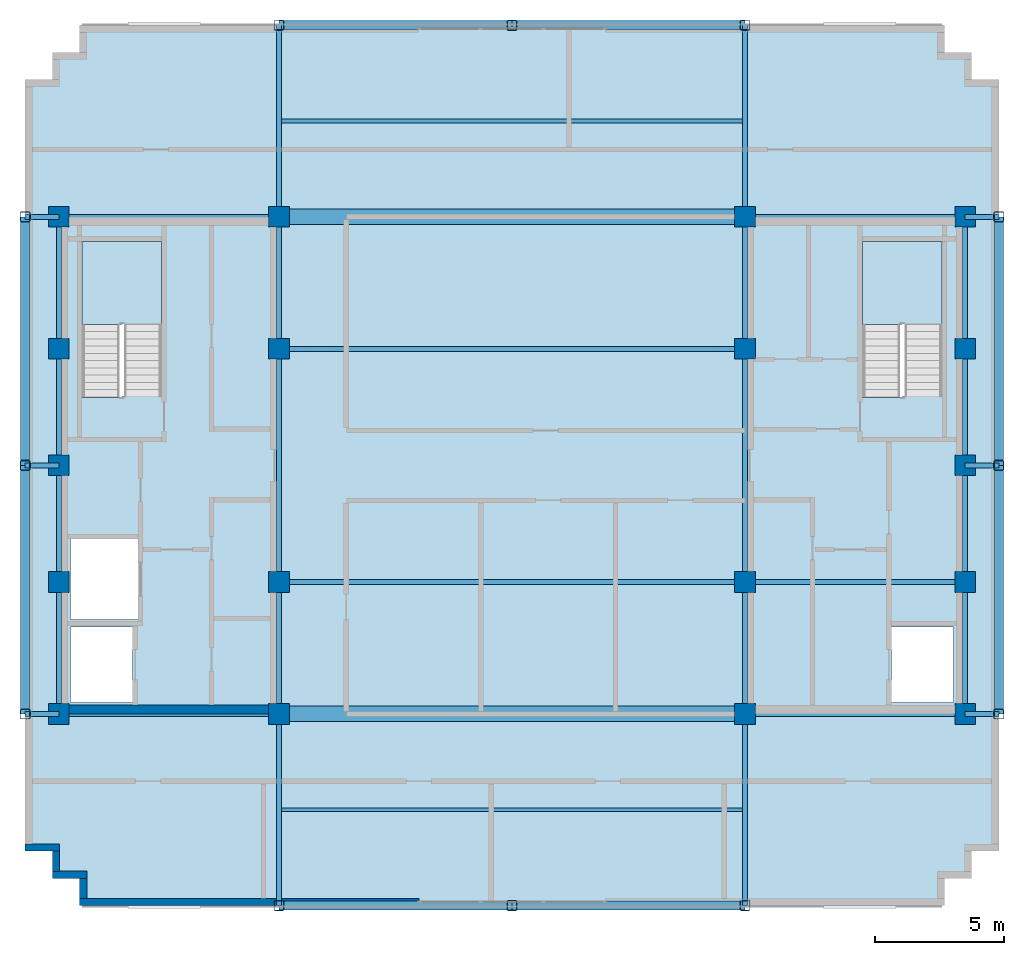
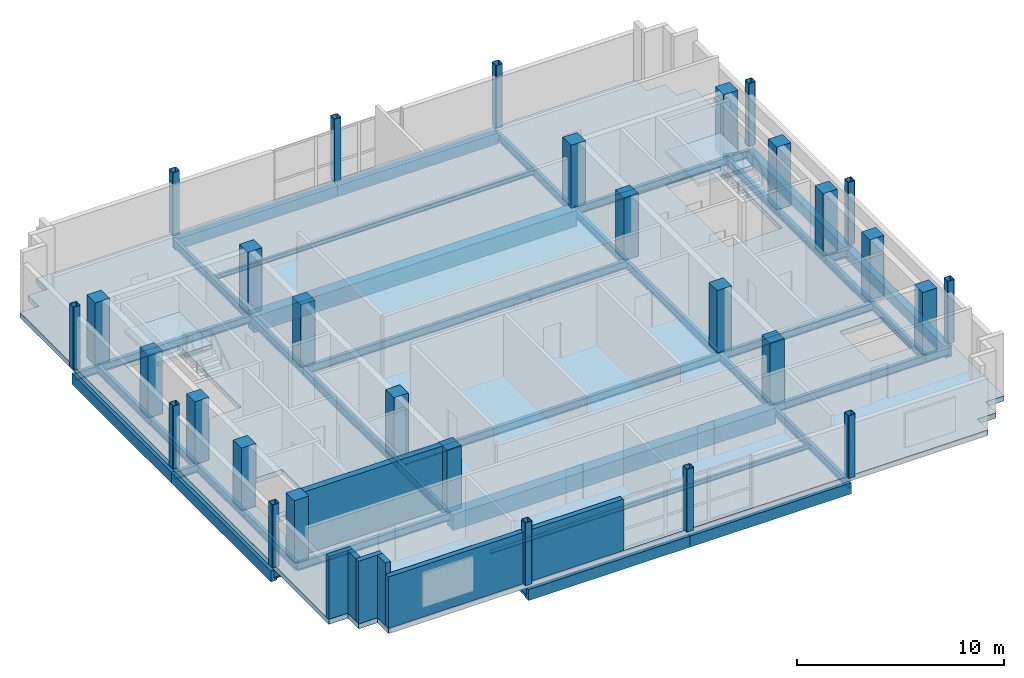
# One storey, part 1 of 10: 43 beams, 30 columns, 6 walls, 3 slabs, 2 elements without a shape of their own.
"""IFC4 building model written with IfcOpenShell, lengths in metres."""

from ifc_helpers import new_model, si_unit, direction, frame, frame_2d, origin, origin_2d, place, context, subcontext, project, spatial, polyline, rectangle, hollow_rectangle, i_section, outline, extrude, material, layer, layer_set, material_profile, profile_set, type_object, element, aggregate, save


model = new_model("IFC4")

# Units and contexts
model_context = context("Model", 3, precision=1e-05, world=origin(), true_north=direction((0.0, 1.0)))
body_context = subcontext(model_context, "Body", "Model", "MODEL_VIEW")
ifc_project = project(units=[si_unit("LENGTHUNIT", "METRE"), si_unit("AREAUNIT", "SQUARE_METRE"), si_unit("VOLUMEUNIT", "CUBIC_METRE"), si_unit("PLANEANGLEUNIT", "RADIAN"), si_unit("MASSUNIT", "GRAM", prefix="KILO")], contexts=[model_context])

# Site, building, storey
site_placement = place(None, origin())
site = spatial("IfcSite", under=ifc_project, at=site_placement, CompositionType="ELEMENT")
building_placement = place(site_placement, origin())
building = spatial("IfcBuilding", under=site, at=building_placement, Name="Nuvemarco Arch Tower", CompositionType="ELEMENT")
storey_placement = place(building_placement, frame((0.0, 0.0, 303.14990234375)))
storey = spatial("IfcBuildingStorey", under=building, at=storey_placement, Name="L80", CompositionType="ELEMENT", Elevation=303.14990234375)

# Columns
ifc_material_1 = material(Name="Concrete C50/60", Category="concrete")
ifc_material_profile_1 = material_profile(ifc_material_1, rectangle(XDim=0.800048828125, YDim=0.800048828125, at=origin_2d()), Name="RC-COL-800x800")
ifc_profile_set_1 = profile_set([ifc_material_profile_1], Name="Concrete C50/60")
column_type_1 = type_object("IfcColumnType", Name="COL-CORE-800", PredefinedType="COLUMN", material=ifc_profile_set_1)
for number, where, z_axis, x_axis, name in (
    (1, (-17.5, -9.60009765625, 0.0), (0.0, 0.0, 1.0), (1.0, 0.0, 0.0), "L80 column CC_-17.5_-9.6"),
    (2, (-17.5, -4.5, 0.0), (0.0, 0.0, 1.0), (1.0, 0.0, 0.0), "L80 column CC_-17.5_-4.5"),
    (3, (-17.5, 4.5, 0.0), (0.0, 0.0, 1.0), (1.0, 0.0, 0.0), "L80 column CC_-17.5_+4.5"),
    (4, (-17.5, 9.60009765625, 0.0), (0.0, 0.0, 1.0), (1.0, 0.0, 0.0), "L80 column CC_-17.5_+9.6"),
    (5, (-9.0, -9.60009765625, 0.0), (0.0, 0.0, 1.0), (1.0, 0.0, 0.0), "L80 column CC_-9.0_-9.6"),
    (6, (-9.0, -4.5, 0.0), (0.0, 0.0, 1.0), (1.0, 0.0, 0.0), "L80 column CC_-9.0_-4.5"),
    (7, (-9.0, 4.5, 0.0), (0.0, 0.0, 1.0), (1.0, 0.0, 0.0), "L80 column CC_-9.0_+4.5"),
    (8, (-9.0, 9.60009765625, 0.0), (0.0, 0.0, 1.0), (1.0, 0.0, 0.0), "L80 column CC_-9.0_+9.6"),
    (9, (9.0, -9.60009765625, 0.0), (0.0, 0.0, 1.0), (1.0, 0.0, 0.0), "L80 column CC_+9.0_-9.6"),
    (10, (9.0, -4.5, 0.0), (0.0, 0.0, 1.0), (1.0, 0.0, 0.0), "L80 column CC_+9.0_-4.5"),
    (11, (9.0, 4.5, 0.0), (0.0, 0.0, 1.0), (1.0, 0.0, 0.0), "L80 column CC_+9.0_+4.5"),
    (12, (9.0, 9.60009765625, 0.0), (0.0, 0.0, 1.0), (1.0, 0.0, 0.0), "L80 column CC_+9.0_+9.6"),
    (13, (17.5, -9.60009765625, 0.0), (0.0, 0.0, 1.0), (1.0, 0.0, 0.0), "L80 column CC_+17.5_-9.6"),
    (14, (17.5, -4.5, 0.0), (0.0, 0.0, 1.0), (1.0, 0.0, 0.0), "L80 column CC_+17.5_-4.5"),
    (15, (17.5, 4.5, 0.0), (0.0, 0.0, 1.0), (1.0, 0.0, 0.0), "L80 column CC_+17.5_+4.5"),
    (16, (17.5, 9.60009765625, 0.0), (0.0, 0.0, 1.0), (1.0, 0.0, 0.0), "L80 column CC_+17.5_+9.6"),
    (17, (-17.5, 0.0, 0.0), (0.0, 0.0, 1.0), (1.0, 0.0, 0.0), "L80 column CC_-17.5_+0.0"),
    (18, (17.5, 0.0, 0.0), (0.0, 0.0, 1.0), (1.0, 0.0, 0.0), "L80 column CC_+17.5_+0.0"),
):
    element("IfcColumn", number, at=place(storey_placement, frame(where, z_axis=z_axis, x_axis=x_axis)), inside=storey, type_object=column_type_1, Name=name, PredefinedType="COLUMN", context=body_context, shape_type="SweptSolid", body=[
        extrude(rectangle(XDim=0.800048828125, YDim=0.800048828125, at=origin_2d()), origin(), (0.0, 0.0, 1.0), 3.7001953125),
    ])
ifc_material_2 = material(Name="Steel S355", Category="steel")
ifc_material_profile_2 = material_profile(ifc_material_2, hollow_rectangle(XDim=0.39990234375, YDim=0.39990234375, WallThickness=0.02490234375, InnerFilletRadius=0.02490234375, OuterFilletRadius=0.050048828125, at=origin_2d()), Name="SHS400x400x25")
ifc_profile_set_2 = profile_set([ifc_material_profile_2], Name="Steel S355")
column_type_2 = type_object("IfcColumnType", Name="COL-EXO-400", PredefinedType="COLUMN", material=ifc_profile_set_2)
for number, where, z_axis, x_axis, name in (
    (19, (-18.800048828125, -9.60009765625, 0.0), (0.0, 0.0, 1.0), (1.0, 0.0, 0.0), "L80 column CX_-18.8_-9.6"),
    (20, (-18.800048828125, 0.0, 0.0), (0.0, 0.0, 1.0), (1.0, 0.0, 0.0), "L80 column CX_-18.8_+0.0"),
    (21, (-18.800048828125, 9.60009765625, 0.0), (0.0, 0.0, 1.0), (1.0, 0.0, 0.0), "L80 column CX_-18.8_+9.6"),
    (22, (18.800048828125, -9.60009765625, 0.0), (0.0, 0.0, 1.0), (1.0, 0.0, 0.0), "L80 column CX_+18.8_-9.6"),
    (23, (18.800048828125, 0.0, 0.0), (0.0, 0.0, 1.0), (1.0, 0.0, 0.0), "L80 column CX_+18.8_+0.0"),
    (24, (18.800048828125, 9.60009765625, 0.0), (0.0, 0.0, 1.0), (1.0, 0.0, 0.0), "L80 column CX_+18.8_+9.6"),
    (25, (-9.0, -17.0, 0.0), (0.0, 0.0, 1.0), (1.0, 0.0, 0.0), "L80 column CY_-9.0_-17.0"),
    (26, (0.0, -17.0, 0.0), (0.0, 0.0, 1.0), (1.0, 0.0, 0.0), "L80 column CY_+0.0_-17.0"),
    (27, (9.0, -17.0, 0.0), (0.0, 0.0, 1.0), (1.0, 0.0, 0.0), "L80 column CY_+9.0_-17.0"),
    (28, (-9.0, 17.0, 0.0), (0.0, 0.0, 1.0), (1.0, 0.0, 0.0), "L80 column CY_-9.0_+17.0"),
    (29, (0.0, 17.0, 0.0), (0.0, 0.0, 1.0), (1.0, 0.0, 0.0), "L80 column CY_+0.0_+17.0"),
    (30, (9.0, 17.0, 0.0), (0.0, 0.0, 1.0), (1.0, 0.0, 0.0), "L80 column CY_+9.0_+17.0"),
):
    element("IfcColumn", number, at=place(storey_placement, frame(where, z_axis=z_axis, x_axis=x_axis)), inside=storey, type_object=column_type_2, Name=name, PredefinedType="COLUMN", context=body_context, shape_type="SweptSolid", body=[
        extrude(hollow_rectangle(XDim=0.39990234375, YDim=0.39990234375, WallThickness=0.02490234375, InnerFilletRadius=0.02490234375, OuterFilletRadius=0.050048828125, at=origin_2d()), origin(), (0.0, 0.0, 1.0), 3.7001953125),
    ])

# Beams
ifc_material_3 = material(Name="Concrete C60/75", Category="concrete")
ifc_material_profile_3 = material_profile(ifc_material_3, rectangle(XDim=0.60009765625, YDim=0.949951171875, at=origin_2d()), Name="RC-BM-600x950")
ifc_profile_set_3 = profile_set([ifc_material_profile_3], Name="Concrete C60/75")
beam_type_1 = type_object("IfcBeamType", Name="BM-COUP-RC", PredefinedType="LINTEL", material=ifc_profile_set_3)
for number, where, z_axis, x_axis, name in (
    (31, (-9.0, -9.60009765625, -0.77490234375), (1.0, 0.0, 0.0), (0.0, 1.0, 0.0), "L80 structural beam BGEW_L80_0_-9.6_-9.0"),
    (32, (-9.0, 9.60009765625, -0.77490234375), (1.0, 0.0, 0.0), (0.0, 1.0, 0.0), "L80 structural beam BGEW_L80_0_+9.6_-9.0"),
):
    element("IfcBeam", number, at=place(storey_placement, frame(where, z_axis=z_axis, x_axis=x_axis)), inside=storey, type_object=beam_type_1, Name=name, PredefinedType="LINTEL", context=body_context, shape_type="SweptSolid", body=[
        extrude(rectangle(XDim=0.60009765625, YDim=0.949951171875, at=origin_2d()), origin(), (0.0, 0.0, 1.0), 18.0),
    ])
ifc_material_profile_4 = material_profile(ifc_material_2, i_section(OverallWidth=0.19189453125, OverallDepth=0.462890625, WebThickness=0.010498046875, FlangeThickness=0.017578125, FilletRadius=0.014892578125, at=origin_2d()), Name="W460x89")
ifc_profile_set_4 = profile_set([ifc_material_profile_4], Name="Steel S355")
beam_type_2 = type_object("IfcBeamType", Name="BM-GIRD-460", PredefinedType="BEAM", material=ifc_profile_set_4)
beam_1_placement = place(storey_placement, frame((-17.5, -9.60009765625, -0.531494140625), z_axis=(0.0, 1.0, 0.0), x_axis=(-1.0, 0.0, 0.0)))
element("IfcBeam", 33, at=beam_1_placement, inside=storey, type_object=beam_type_2, Name="L80 structural beam BGNS_L80_0_-17.5_-9.6", PredefinedType="BEAM", context=body_context, shape_type="SweptSolid", body=[
    extrude(i_section(OverallWidth=0.19189453125, OverallDepth=0.462890625, WebThickness=0.010498046875, FlangeThickness=0.017578125, FilletRadius=0.014892578125, at=origin_2d()), origin(), (0.0, 0.0, 1.0), 5.10009765625),
])
for number, where, z_axis, x_axis, name in (
    (34, (-17.5, -4.5, -0.531494140625), (0.0, 1.0, 0.0), (-1.0, 0.0, 0.0), "L80 structural beam BGNS_L80_0_-17.5_-4.5"),
    (35, (-17.5, 0.0, -0.531494140625), (0.0, 1.0, 0.0), (-1.0, 0.0, 0.0), "L80 structural beam BGNS_L80_0_-17.5_+0.0"),
):
    element("IfcBeam", number, at=place(storey_placement, frame(where, z_axis=z_axis, x_axis=x_axis)), inside=storey, type_object=beam_type_2, Name=name, PredefinedType="BEAM", context=body_context, shape_type="SweptSolid", body=[
        extrude(i_section(OverallWidth=0.19189453125, OverallDepth=0.462890625, WebThickness=0.010498046875, FlangeThickness=0.017578125, FilletRadius=0.014892578125, at=origin_2d()), origin(), (0.0, 0.0, 1.0), 4.5),
    ])
beam_2_placement = place(storey_placement, frame((-17.5, 4.5, -0.531494140625), z_axis=(0.0, 1.0, 0.0), x_axis=(-1.0, 0.0, 0.0)))
element("IfcBeam", 36, at=beam_2_placement, inside=storey, type_object=beam_type_2, Name="L80 structural beam BGNS_L80_0_-17.5_+4.5", PredefinedType="BEAM", context=body_context, shape_type="SweptSolid", body=[
    extrude(i_section(OverallWidth=0.19189453125, OverallDepth=0.462890625, WebThickness=0.010498046875, FlangeThickness=0.017578125, FilletRadius=0.014892578125, at=origin_2d()), origin(), (0.0, 0.0, 1.0), 5.10009765625),
])
beam_3_placement = place(storey_placement, frame((-9.0, -17.0, -0.531494140625), z_axis=(0.0, 1.0, 0.0), x_axis=(-1.0, 0.0, 0.0)))
element("IfcBeam", 37, at=beam_3_placement, inside=storey, type_object=beam_type_2, Name="L80 structural beam BGNS_L80_0_-9.0_-17.0", PredefinedType="BEAM", context=body_context, shape_type="SweptSolid", body=[
    extrude(i_section(OverallWidth=0.19189453125, OverallDepth=0.462890625, WebThickness=0.010498046875, FlangeThickness=0.017578125, FilletRadius=0.014892578125, at=origin_2d()), origin(), (0.0, 0.0, 1.0), 7.39990234375),
])
beam_4_placement = place(storey_placement, frame((-9.0, -9.60009765625, -0.531494140625), z_axis=(0.0, 1.0, 0.0), x_axis=(-1.0, 0.0, 0.0)))
element("IfcBeam", 38, at=beam_4_placement, inside=storey, type_object=beam_type_2, Name="L80 structural beam BGNS_L80_0_-9.0_-9.6", PredefinedType="BEAM", context=body_context, shape_type="SweptSolid", body=[
    extrude(i_section(OverallWidth=0.19189453125, OverallDepth=0.462890625, WebThickness=0.010498046875, FlangeThickness=0.017578125, FilletRadius=0.014892578125, at=origin_2d()), origin(), (0.0, 0.0, 1.0), 5.10009765625),
])
beam_5_placement = place(storey_placement, frame((-9.0, -4.5, -0.531494140625), z_axis=(0.0, 1.0, 0.0), x_axis=(-1.0, 0.0, 0.0)))
element("IfcBeam", 39, at=beam_5_placement, inside=storey, type_object=beam_type_2, Name="L80 structural beam BGNS_L80_0_-9.0_-4.5", PredefinedType="BEAM", context=body_context, shape_type="SweptSolid", body=[
    extrude(i_section(OverallWidth=0.19189453125, OverallDepth=0.462890625, WebThickness=0.010498046875, FlangeThickness=0.017578125, FilletRadius=0.014892578125, at=origin_2d()), origin(), (0.0, 0.0, 1.0), 9.0),
])
beam_6_placement = place(storey_placement, frame((-9.0, 4.5, -0.531494140625), z_axis=(0.0, 1.0, 0.0), x_axis=(-1.0, 0.0, 0.0)))
element("IfcBeam", 40, at=beam_6_placement, inside=storey, type_object=beam_type_2, Name="L80 structural beam BGNS_L80_0_-9.0_+4.5", PredefinedType="BEAM", context=body_context, shape_type="SweptSolid", body=[
    extrude(i_section(OverallWidth=0.19189453125, OverallDepth=0.462890625, WebThickness=0.010498046875, FlangeThickness=0.017578125, FilletRadius=0.014892578125, at=origin_2d()), origin(), (0.0, 0.0, 1.0), 5.10009765625),
])
for number, where, z_axis, x_axis, name in (
    (41, (-9.0, 9.60009765625, -0.531494140625), (0.0, 1.0, 0.0), (-1.0, 0.0, 0.0), "L80 structural beam BGNS_L80_0_-9.0_+9.6"),
    (42, (9.0, -17.0, -0.531494140625), (0.0, 1.0, 0.0), (-1.0, 0.0, 0.0), "L80 structural beam BGNS_L80_0_+9.0_-17.0"),
):
    element("IfcBeam", number, at=place(storey_placement, frame(where, z_axis=z_axis, x_axis=x_axis)), inside=storey, type_object=beam_type_2, Name=name, PredefinedType="BEAM", context=body_context, shape_type="SweptSolid", body=[
        extrude(i_section(OverallWidth=0.19189453125, OverallDepth=0.462890625, WebThickness=0.010498046875, FlangeThickness=0.017578125, FilletRadius=0.014892578125, at=origin_2d()), origin(), (0.0, 0.0, 1.0), 7.39990234375),
    ])
beam_7_placement = place(storey_placement, frame((9.0, -9.60009765625, -0.531494140625), z_axis=(0.0, 1.0, 0.0), x_axis=(-1.0, 0.0, 0.0)))
element("IfcBeam", 43, at=beam_7_placement, inside=storey, type_object=beam_type_2, Name="L80 structural beam BGNS_L80_0_+9.0_-9.6", PredefinedType="BEAM", context=body_context, shape_type="SweptSolid", body=[
    extrude(i_section(OverallWidth=0.19189453125, OverallDepth=0.462890625, WebThickness=0.010498046875, FlangeThickness=0.017578125, FilletRadius=0.014892578125, at=origin_2d()), origin(), (0.0, 0.0, 1.0), 5.10009765625),
])
beam_8_placement = place(storey_placement, frame((9.0, -4.5, -0.531494140625), z_axis=(0.0, 1.0, 0.0), x_axis=(-1.0, 0.0, 0.0)))
element("IfcBeam", 44, at=beam_8_placement, inside=storey, type_object=beam_type_2, Name="L80 structural beam BGNS_L80_0_+9.0_-4.5", PredefinedType="BEAM", context=body_context, shape_type="SweptSolid", body=[
    extrude(i_section(OverallWidth=0.19189453125, OverallDepth=0.462890625, WebThickness=0.010498046875, FlangeThickness=0.017578125, FilletRadius=0.014892578125, at=origin_2d()), origin(), (0.0, 0.0, 1.0), 9.0),
])
beam_9_placement = place(storey_placement, frame((9.0, 4.5, -0.531494140625), z_axis=(0.0, 1.0, 0.0), x_axis=(-1.0, 0.0, 0.0)))
element("IfcBeam", 45, at=beam_9_placement, inside=storey, type_object=beam_type_2, Name="L80 structural beam BGNS_L80_0_+9.0_+4.5", PredefinedType="BEAM", context=body_context, shape_type="SweptSolid", body=[
    extrude(i_section(OverallWidth=0.19189453125, OverallDepth=0.462890625, WebThickness=0.010498046875, FlangeThickness=0.017578125, FilletRadius=0.014892578125, at=origin_2d()), origin(), (0.0, 0.0, 1.0), 5.10009765625),
])
beam_10_placement = place(storey_placement, frame((9.0, 9.60009765625, -0.531494140625), z_axis=(0.0, 1.0, 0.0), x_axis=(-1.0, 0.0, 0.0)))
element("IfcBeam", 46, at=beam_10_placement, inside=storey, type_object=beam_type_2, Name="L80 structural beam BGNS_L80_0_+9.0_+9.6", PredefinedType="BEAM", context=body_context, shape_type="SweptSolid", body=[
    extrude(i_section(OverallWidth=0.19189453125, OverallDepth=0.462890625, WebThickness=0.010498046875, FlangeThickness=0.017578125, FilletRadius=0.014892578125, at=origin_2d()), origin(), (0.0, 0.0, 1.0), 7.39990234375),
])
beam_11_placement = place(storey_placement, frame((17.5, -9.60009765625, -0.531494140625), z_axis=(0.0, 1.0, 0.0), x_axis=(-1.0, 0.0, 0.0)))
element("IfcBeam", 47, at=beam_11_placement, inside=storey, type_object=beam_type_2, Name="L80 structural beam BGNS_L80_0_+17.5_-9.6", PredefinedType="BEAM", context=body_context, shape_type="SweptSolid", body=[
    extrude(i_section(OverallWidth=0.19189453125, OverallDepth=0.462890625, WebThickness=0.010498046875, FlangeThickness=0.017578125, FilletRadius=0.014892578125, at=origin_2d()), origin(), (0.0, 0.0, 1.0), 5.10009765625),
])
for number, where, z_axis, x_axis, name in (
    (48, (17.5, -4.5, -0.531494140625), (0.0, 1.0, 0.0), (-1.0, 0.0, 0.0), "L80 structural beam BGNS_L80_0_+17.5_-4.5"),
    (49, (17.5, 0.0, -0.531494140625), (0.0, 1.0, 0.0), (-1.0, 0.0, 0.0), "L80 structural beam BGNS_L80_0_+17.5_+0.0"),
):
    element("IfcBeam", number, at=place(storey_placement, frame(where, z_axis=z_axis, x_axis=x_axis)), inside=storey, type_object=beam_type_2, Name=name, PredefinedType="BEAM", context=body_context, shape_type="SweptSolid", body=[
        extrude(i_section(OverallWidth=0.19189453125, OverallDepth=0.462890625, WebThickness=0.010498046875, FlangeThickness=0.017578125, FilletRadius=0.014892578125, at=origin_2d()), origin(), (0.0, 0.0, 1.0), 4.5),
    ])
beam_12_placement = place(storey_placement, frame((17.5, 4.5, -0.531494140625), z_axis=(0.0, 1.0, 0.0), x_axis=(-1.0, 0.0, 0.0)))
element("IfcBeam", 50, at=beam_12_placement, inside=storey, type_object=beam_type_2, Name="L80 structural beam BGNS_L80_0_+17.5_+4.5", PredefinedType="BEAM", context=body_context, shape_type="SweptSolid", body=[
    extrude(i_section(OverallWidth=0.19189453125, OverallDepth=0.462890625, WebThickness=0.010498046875, FlangeThickness=0.017578125, FilletRadius=0.014892578125, at=origin_2d()), origin(), (0.0, 0.0, 1.0), 5.10009765625),
])
beam_13_placement = place(storey_placement, frame((-18.800048828125, -9.60009765625, -0.531494140625), z_axis=(1.0, 0.0, 0.0), x_axis=(0.0, 1.0, 0.0)))
element("IfcBeam", 51, at=beam_13_placement, inside=storey, type_object=beam_type_2, Name="L80 structural beam BGEW_L80_0_-9.6_-18.8", PredefinedType="BEAM", context=body_context, shape_type="SweptSolid", body=[
    extrude(i_section(OverallWidth=0.19189453125, OverallDepth=0.462890625, WebThickness=0.010498046875, FlangeThickness=0.017578125, FilletRadius=0.014892578125, at=origin_2d()), origin(), (0.0, 0.0, 1.0), 1.300048828125),
])
for number, where, z_axis, x_axis, name in (
    (52, (-17.5, -9.60009765625, -0.531494140625), (1.0, 0.0, 0.0), (0.0, 1.0, 0.0), "L80 structural beam BGEW_L80_0_-9.6_-17.5"),
    (53, (9.0, -9.60009765625, -0.531494140625), (1.0, 0.0, 0.0), (0.0, 1.0, 0.0), "L80 structural beam BGEW_L80_0_-9.6_+9.0"),
):
    element("IfcBeam", number, at=place(storey_placement, frame(where, z_axis=z_axis, x_axis=x_axis)), inside=storey, type_object=beam_type_2, Name=name, PredefinedType="BEAM", context=body_context, shape_type="SweptSolid", body=[
        extrude(i_section(OverallWidth=0.19189453125, OverallDepth=0.462890625, WebThickness=0.010498046875, FlangeThickness=0.017578125, FilletRadius=0.014892578125, at=origin_2d()), origin(), (0.0, 0.0, 1.0), 8.5),
    ])
beam_14_placement = place(storey_placement, frame((17.5, -9.60009765625, -0.531494140625), z_axis=(1.0, 0.0, 0.0), x_axis=(0.0, 1.0, 0.0)))
element("IfcBeam", 54, at=beam_14_placement, inside=storey, type_object=beam_type_2, Name="L80 structural beam BGEW_L80_0_-9.6_+17.5", PredefinedType="BEAM", context=body_context, shape_type="SweptSolid", body=[
    extrude(i_section(OverallWidth=0.19189453125, OverallDepth=0.462890625, WebThickness=0.010498046875, FlangeThickness=0.017578125, FilletRadius=0.014892578125, at=origin_2d()), origin(), (0.0, 0.0, 1.0), 1.300048828125),
])
beam_15_placement = place(storey_placement, frame((-9.0, -4.5, -0.531494140625), z_axis=(1.0, 0.0, 0.0), x_axis=(0.0, 1.0, 0.0)))
element("IfcBeam", 55, at=beam_15_placement, inside=storey, type_object=beam_type_2, Name="L80 structural beam BGEW_L80_0_-4.5_-9.0", PredefinedType="BEAM", context=body_context, shape_type="SweptSolid", body=[
    extrude(i_section(OverallWidth=0.19189453125, OverallDepth=0.462890625, WebThickness=0.010498046875, FlangeThickness=0.017578125, FilletRadius=0.014892578125, at=origin_2d()), origin(), (0.0, 0.0, 1.0), 18.0),
])
beam_16_placement = place(storey_placement, frame((9.0, -4.5, -0.531494140625), z_axis=(1.0, 0.0, 0.0), x_axis=(0.0, 1.0, 0.0)))
element("IfcBeam", 56, at=beam_16_placement, inside=storey, type_object=beam_type_2, Name="L80 structural beam BGEW_L80_0_-4.5_+9.0", PredefinedType="BEAM", context=body_context, shape_type="SweptSolid", body=[
    extrude(i_section(OverallWidth=0.19189453125, OverallDepth=0.462890625, WebThickness=0.010498046875, FlangeThickness=0.017578125, FilletRadius=0.014892578125, at=origin_2d()), origin(), (0.0, 0.0, 1.0), 8.5),
])
for number, where, z_axis, x_axis, name in (
    (57, (-18.800048828125, 0.0, -0.531494140625), (1.0, 0.0, 0.0), (0.0, 1.0, 0.0), "L80 structural beam BGEW_L80_0_+0.0_-18.8"),
    (58, (17.5, 0.0, -0.531494140625), (1.0, 0.0, 0.0), (0.0, 1.0, 0.0), "L80 structural beam BGEW_L80_0_+0.0_+17.5"),
):
    element("IfcBeam", number, at=place(storey_placement, frame(where, z_axis=z_axis, x_axis=x_axis)), inside=storey, type_object=beam_type_2, Name=name, PredefinedType="BEAM", context=body_context, shape_type="SweptSolid", body=[
        extrude(i_section(OverallWidth=0.19189453125, OverallDepth=0.462890625, WebThickness=0.010498046875, FlangeThickness=0.017578125, FilletRadius=0.014892578125, at=origin_2d()), origin(), (0.0, 0.0, 1.0), 1.300048828125),
    ])
beam_17_placement = place(storey_placement, frame((-9.0, 4.5, -0.531494140625), z_axis=(1.0, 0.0, 0.0), x_axis=(0.0, 1.0, 0.0)))
element("IfcBeam", 59, at=beam_17_placement, inside=storey, type_object=beam_type_2, Name="L80 structural beam BGEW_L80_0_+4.5_-9.0", PredefinedType="BEAM", context=body_context, shape_type="SweptSolid", body=[
    extrude(i_section(OverallWidth=0.19189453125, OverallDepth=0.462890625, WebThickness=0.010498046875, FlangeThickness=0.017578125, FilletRadius=0.014892578125, at=origin_2d()), origin(), (0.0, 0.0, 1.0), 18.0),
])
beam_18_placement = place(storey_placement, frame((-18.800048828125, 9.60009765625, -0.531494140625), z_axis=(1.0, 0.0, 0.0), x_axis=(0.0, 1.0, 0.0)))
element("IfcBeam", 60, at=beam_18_placement, inside=storey, type_object=beam_type_2, Name="L80 structural beam BGEW_L80_0_+9.6_-18.8", PredefinedType="BEAM", context=body_context, shape_type="SweptSolid", body=[
    extrude(i_section(OverallWidth=0.19189453125, OverallDepth=0.462890625, WebThickness=0.010498046875, FlangeThickness=0.017578125, FilletRadius=0.014892578125, at=origin_2d()), origin(), (0.0, 0.0, 1.0), 1.300048828125),
])
for number, where, z_axis, x_axis, name in (
    (61, (-17.5, 9.60009765625, -0.531494140625), (1.0, 0.0, 0.0), (0.0, 1.0, 0.0), "L80 structural beam BGEW_L80_0_+9.6_-17.5"),
    (62, (9.0, 9.60009765625, -0.531494140625), (1.0, 0.0, 0.0), (0.0, 1.0, 0.0), "L80 structural beam BGEW_L80_0_+9.6_+9.0"),
):
    element("IfcBeam", number, at=place(storey_placement, frame(where, z_axis=z_axis, x_axis=x_axis)), inside=storey, type_object=beam_type_2, Name=name, PredefinedType="BEAM", context=body_context, shape_type="SweptSolid", body=[
        extrude(i_section(OverallWidth=0.19189453125, OverallDepth=0.462890625, WebThickness=0.010498046875, FlangeThickness=0.017578125, FilletRadius=0.014892578125, at=origin_2d()), origin(), (0.0, 0.0, 1.0), 8.5),
    ])
beam_19_placement = place(storey_placement, frame((17.5, 9.60009765625, -0.531494140625), z_axis=(1.0, 0.0, 0.0), x_axis=(0.0, 1.0, 0.0)))
element("IfcBeam", 63, at=beam_19_placement, inside=storey, type_object=beam_type_2, Name="L80 structural beam BGEW_L80_0_+9.6_+17.5", PredefinedType="BEAM", context=body_context, shape_type="SweptSolid", body=[
    extrude(i_section(OverallWidth=0.19189453125, OverallDepth=0.462890625, WebThickness=0.010498046875, FlangeThickness=0.017578125, FilletRadius=0.014892578125, at=origin_2d()), origin(), (0.0, 0.0, 1.0), 1.300048828125),
])
ifc_material_profile_5 = material_profile(ifc_material_2, i_section(OverallWidth=0.14794921875, OverallDepth=0.26611328125, WebThickness=0.007568359375, FlangeThickness=0.012939453125, FilletRadius=0.010009765625, at=origin_2d()), Name="W250x44.8")
ifc_profile_set_5 = profile_set([ifc_material_profile_5], Name="Steel S355")
beam_type_3 = type_object("IfcBeamType", Name="BM-JOIST-250", PredefinedType="JOIST", material=ifc_profile_set_5)
for number, where, z_axis, x_axis, name in (
    (64, (-8.904052734375, -13.300048828125, -0.432861328125), (1.0, 0.0, 0.0), (0.0, 1.0, 0.0), "L80 structural beam BJ_L80_0_-13.3_-9.0"),
    (65, (-8.904052734375, 13.300048828125, -0.432861328125), (1.0, 0.0, 0.0), (0.0, 1.0, 0.0), "L80 structural beam BJ_L80_0_+13.3_-9.0"),
):
    element("IfcBeam", number, at=place(storey_placement, frame(where, z_axis=z_axis, x_axis=x_axis)), inside=storey, type_object=beam_type_3, Name=name, PredefinedType="JOIST", context=body_context, shape_type="SweptSolid", body=[
        extrude(i_section(OverallWidth=0.14794921875, OverallDepth=0.26611328125, WebThickness=0.007568359375, FlangeThickness=0.012939453125, FilletRadius=0.010009765625, at=origin_2d()), origin(), (0.0, 0.0, 1.0), 17.80810546875),
    ])
ifc_material_4 = material(Name="Precast concrete C45/55", Category="concrete")
ifc_material_profile_6 = material_profile(ifc_material_4, rectangle(XDim=0.35009765625, YDim=0.64990234375, at=origin_2d()), Name="PC-SP-350x650")
ifc_profile_set_6 = profile_set([ifc_material_profile_6], Name="Precast concrete C45/55")
beam_type_4 = type_object("IfcBeamType", Name="BM-SPAN-RC", PredefinedType="SPANDREL", material=ifc_profile_set_6)
for number, where, z_axis, x_axis, name in (
    (66, (-18.800048828125, -9.60009765625, -0.625), (0.0, 1.0, 0.0), (-1.0, 0.0, 0.0), "L80 structural beam BGNS_L80_0_-18.8_-9.6"),
    (67, (-18.800048828125, 0.0, -0.625), (0.0, 1.0, 0.0), (-1.0, 0.0, 0.0), "L80 structural beam BGNS_L80_0_-18.8_+0.0"),
    (68, (18.800048828125, -9.60009765625, -0.625), (0.0, 1.0, 0.0), (-1.0, 0.0, 0.0), "L80 structural beam BGNS_L80_0_+18.8_-9.6"),
    (69, (18.800048828125, 0.0, -0.625), (0.0, 1.0, 0.0), (-1.0, 0.0, 0.0), "L80 structural beam BGNS_L80_0_+18.8_+0.0"),
):
    element("IfcBeam", number, at=place(storey_placement, frame(where, z_axis=z_axis, x_axis=x_axis)), inside=storey, type_object=beam_type_4, Name=name, PredefinedType="SPANDREL", context=body_context, shape_type="SweptSolid", body=[
        extrude(rectangle(XDim=0.35009765625, YDim=0.64990234375, at=origin_2d()), origin(), (0.0, 0.0, 1.0), 9.60009765625),
    ])
for number, where, z_axis, x_axis, name in (
    (70, (-9.0, -17.0, -0.625), (1.0, 0.0, 0.0), (0.0, 1.0, 0.0), "L80 structural beam BGEW_L80_0_-17.0_-9.0"),
    (71, (0.0, -17.0, -0.625), (1.0, 0.0, 0.0), (0.0, 1.0, 0.0), "L80 structural beam BGEW_L80_0_-17.0_+0.0"),
    (72, (-9.0, 17.0, -0.625), (1.0, 0.0, 0.0), (0.0, 1.0, 0.0), "L80 structural beam BGEW_L80_0_+17.0_-9.0"),
    (73, (0.0, 17.0, -0.625), (1.0, 0.0, 0.0), (0.0, 1.0, 0.0), "L80 structural beam BGEW_L80_0_+17.0_+0.0"),
):
    element("IfcBeam", number, at=place(storey_placement, frame(where, z_axis=z_axis, x_axis=x_axis)), inside=storey, type_object=beam_type_4, Name=name, PredefinedType="SPANDREL", context=body_context, shape_type="SweptSolid", body=[
        extrude(rectangle(XDim=0.35009765625, YDim=0.64990234375, at=origin_2d()), origin(), (0.0, 0.0, 1.0), 9.0),
    ])

# Slab
ifc_layer_1 = layer(ifc_material_1, 0.300048828125, Name="SL-FLR-300")
ifc_layer_set_1 = layer_set([ifc_layer_1], Name="Concrete C50/60")
slab_type_1 = type_object("IfcSlabType", Name="SL-FLR-300", PredefinedType="FLOOR", material=ifc_layer_set_1)
slab_1_placement = place(storey_placement, frame((0.0, 0.0, -0.2998046875)))
element("IfcSlab", 74, at=slab_1_placement, inside=storey, type_object=slab_type_1, Name="L80 structural floor slab", PredefinedType="FLOOR", context=body_context, shape_type="SweptSolid", body=[
    extrude(outline(polyline([(-16.699951171875, -17.0), (16.699951171875, -17.0), (16.699951171875, -15.949951171875), (17.75, -15.949951171875), (17.75, -14.89990234375), (18.800048828125, -14.89990234375), (18.800048828125, 14.89990234375), (17.75, 14.89990234375), (17.75, 15.949951171875), (16.699951171875, 15.949951171875), (16.699951171875, 17.0), (-16.699951171875, 17.0), (-16.699951171875, 15.949951171875), (-17.75, 15.949951171875), (-17.75, 14.89990234375), (-18.800048828125, 14.89990234375), (-18.800048828125, -14.89990234375), (-17.75, -14.89990234375), (-17.75, -15.949951171875), (-16.699951171875, -15.949951171875), (-16.699951171875, -17.0)]), holes=[polyline([(-13.5400390625, 2.669921875), (-13.5400390625, 8.64990234375), (-16.60009765625, 8.64990234375), (-16.60009765625, 2.630615234375), (-15.070068359375, 2.630615234375), (-15.070068359375, 2.669921875), (-13.5400390625, 2.669921875)]), polyline([(16.60009765625, 2.669921875), (16.60009765625, 8.64990234375), (13.5400390625, 8.64990234375), (13.5400390625, 2.630615234375), (15.070068359375, 2.630615234375), (15.070068359375, 2.669921875), (16.60009765625, 2.669921875)]), polyline([(-17.050048828125, -9.14990234375), (-14.64990234375, -9.14990234375), (-14.64990234375, -6.25), (-17.050048828125, -6.25), (-17.050048828125, -9.14990234375)]), polyline([(-17.050048828125, -5.949951171875), (-14.449951171875, -5.949951171875), (-14.449951171875, -2.85009765625), (-17.050048828125, -2.85009765625), (-17.050048828125, -5.949951171875)]), polyline([(14.64990234375, -9.14990234375), (17.050048828125, -9.14990234375), (17.050048828125, -6.25), (14.64990234375, -6.25), (14.64990234375, -9.14990234375)])]), origin(), (0.0, 0.0, 1.0), 0.2998046875),
])

# Stair, slab
stair_type = type_object("IfcStairType", Name="ST-CORE-22R", PredefinedType="HALF_TURN_STAIR", material=ifc_material_4)
stair_1_placement = place(storey_placement, origin())
stair_1 = element("IfcStair", 75, at=stair_1_placement, inside=storey, type_object=stair_type, Name="L80 Protected Exit Stair ST-1", PredefinedType="HALF_TURN_STAIR")
ifc_layer_2 = layer(ifc_material_4, 0.199951171875, Name="SL-LANDING-200")
ifc_layer_set_2 = layer_set([ifc_layer_2], Name="Precast concrete C45/55")
slab_type_2 = type_object("IfcSlabType", Name="SL-LANDING-200", PredefinedType="LANDING", material=ifc_layer_set_2)
slab_2_placement = place(storey_placement, frame((0.0, 0.0, 1.800048828125)))
slab_2 = element("IfcSlab", 76, at=slab_2_placement, type_object=slab_type_2, Name="ST-22R landing 1", PredefinedType="LANDING", context=body_context, shape_type="SweptSolid", body=[
    extrude(outline(polyline([(-13.5400390625, 5.469482421875), (-13.5400390625, 8.64990234375), (-16.60009765625, 8.64990234375), (-16.60009765625, 5.449951171875), (-15.070068359375, 5.449951171875), (-15.070068359375, 5.469482421875), (-13.5400390625, 5.469482421875)])), origin(), (0.0, 0.0, 1.0), 0.199951171875),
])
aggregate(stair_1, [slab_2])

stair_2_placement = place(storey_placement, origin())
stair_2 = element("IfcStair", 77, at=stair_2_placement, inside=storey, type_object=stair_type, Name="L80 Protected Exit Stair ST-2", PredefinedType="HALF_TURN_STAIR")
slab_3_placement = place(storey_placement, frame((0.0, 0.0, 1.800048828125)))
slab_3 = element("IfcSlab", 78, at=slab_3_placement, type_object=slab_type_2, Name="ST-22R landing 1", PredefinedType="LANDING", context=body_context, shape_type="SweptSolid", body=[
    extrude(outline(polyline([(16.60009765625, 5.469482421875), (16.60009765625, 8.64990234375), (13.5400390625, 8.64990234375), (13.5400390625, 5.449951171875), (15.070068359375, 5.449951171875), (15.070068359375, 5.469482421875), (16.60009765625, 5.469482421875)])), origin(), (0.0, 0.0, 1.0), 0.199951171875),
])
aggregate(stair_2, [slab_3])

# Walls
ifc_layer_3 = layer(ifc_material_4, 0.280029296875, Name="EW-CRN-280")
ifc_layer_set_3 = layer_set([ifc_layer_3], Name="Precast concrete C45/55")
wall_type_1 = type_object("IfcWallType", Name="EW-CRN-280", PredefinedType="STANDARD", material=ifc_layer_set_3)
wall_1_placement = place(storey_placement, frame((-16.699951171875, -16.860107421875, 0.0), z_axis=(0.0, 0.0, 1.0), x_axis=(1.0, 0.0, 0.0)))
element("IfcWall", 79, at=wall_1_placement, inside=storey, type_object=wall_type_1, Name="L80 exterior precast pier wall south left", PredefinedType="STANDARD", context=body_context, shape_type="SweptSolid", body=[
    extrude(rectangle(XDim=13.099853515625, YDim=0.280029296875, at=frame_2d((6.5498046875, 0.0))), origin(), (0.0, 0.0, 1.0), 3.03515625),
])
wall_2_placement = place(storey_placement, frame((-18.800048828125, -14.760009765625, 0.0), z_axis=(0.0, 0.0, 1.0), x_axis=(1.0, 0.0, 0.0)))
element("IfcWall", 80, at=wall_2_placement, inside=storey, type_object=wall_type_1, Name="L80 exterior precast facade wall 17", PredefinedType="STANDARD", context=body_context, shape_type="SweptSolid", body=[
    extrude(rectangle(XDim=1.330078125, YDim=0.280029296875, at=frame_2d((0.6650390625, 0.0))), origin(), (0.0, 0.0, 1.0), 3.690185546875),
])
wall_3_placement = place(storey_placement, frame((-17.610107421875, -15.674072265625, 0.0), z_axis=(0.0, 0.0, 1.0), x_axis=(0.0, 1.0, 0.0)))
element("IfcWall", 81, at=wall_3_placement, inside=storey, type_object=wall_type_1, Name="L80 exterior precast facade wall 18", PredefinedType="STANDARD", context=body_context, shape_type="SweptSolid", body=[
    extrude(rectangle(XDim=0.778076171875, YDim=0.280029296875, at=frame_2d((0.38916015625, 0.0))), origin(), (0.0, 0.0, 1.0), 3.690185546875),
])
wall_4_placement = place(storey_placement, frame((-17.75, -15.81005859375, 0.0), z_axis=(0.0, 0.0, 1.0), x_axis=(1.0, 0.0, 0.0)))
element("IfcWall", 82, at=wall_4_placement, inside=storey, type_object=wall_type_1, Name="L80 exterior precast facade wall 19", PredefinedType="STANDARD", context=body_context, shape_type="SweptSolid", body=[
    extrude(rectangle(XDim=1.330078125, YDim=0.280029296875, at=frame_2d((0.6650390625, 0.0))), origin(), (0.0, 0.0, 1.0), 3.690185546875),
])
wall_5_placement = place(storey_placement, frame((-16.56005859375, -16.72412109375, 0.0), z_axis=(0.0, 0.0, 1.0), x_axis=(0.0, 1.0, 0.0)))
element("IfcWall", 83, at=wall_5_placement, inside=storey, type_object=wall_type_1, Name="L80 exterior precast facade wall 20", PredefinedType="STANDARD", context=body_context, shape_type="SweptSolid", body=[
    extrude(rectangle(XDim=0.778076171875, YDim=0.280029296875, at=frame_2d((0.38916015625, 0.0))), origin(), (0.0, 0.0, 1.0), 3.690185546875),
])
ifc_layer_4 = layer(ifc_material_1, 0.35009765625, Name="WL-CORE-350")
ifc_layer_set_4 = layer_set([ifc_layer_4], Name="Concrete C50/60")
wall_type_2 = type_object("IfcWallType", Name="WL-CORE-350", PredefinedType="SHEAR", material=ifc_layer_set_4)
wall_6_placement = place(storey_placement, frame((-17.5, -9.425048828125, 0.0), z_axis=(0.0, 0.0, 1.0), x_axis=(1.0, 0.0, 0.0)))
element("IfcWall", 84, at=wall_6_placement, inside=storey, type_object=wall_type_2, Name="L80 W-core shear wall S", PredefinedType="SHEAR", context=body_context, shape_type="SweptSolid", body=[
    extrude(rectangle(XDim=8.5, YDim=0.35009765625, at=frame_2d((4.25, 0.0))), origin(), (0.0, 0.0, 1.0), 3.7001953125),
])

save(model, "model.ifc")
